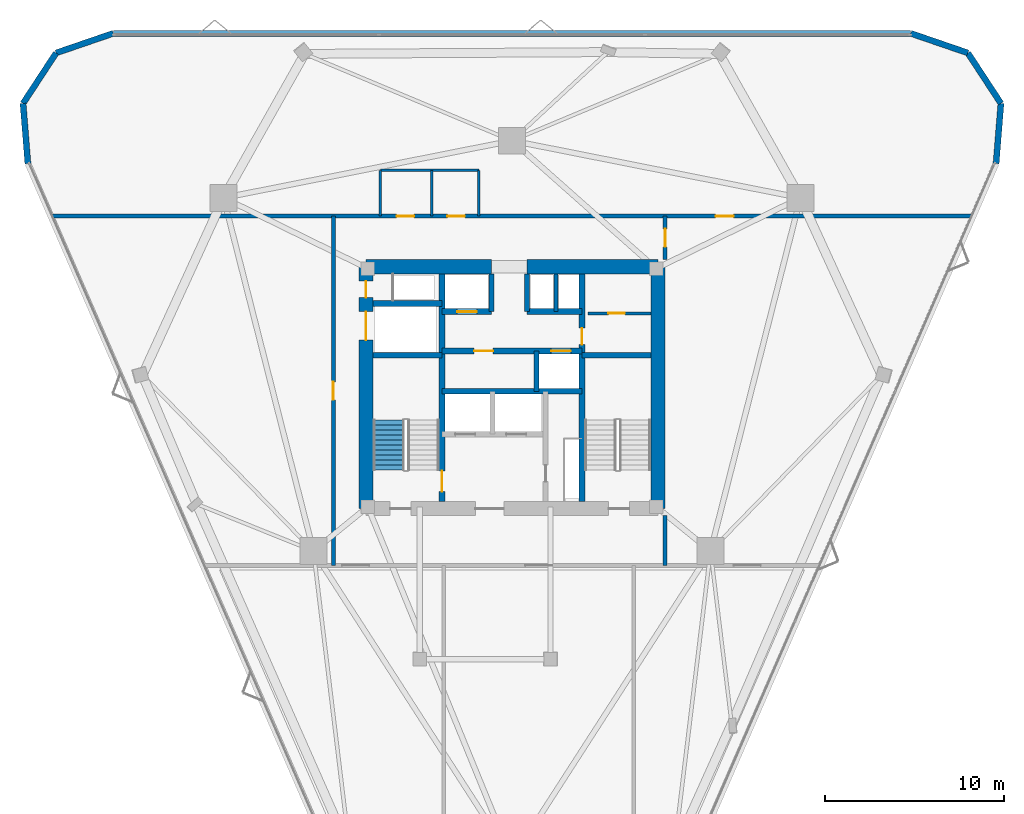
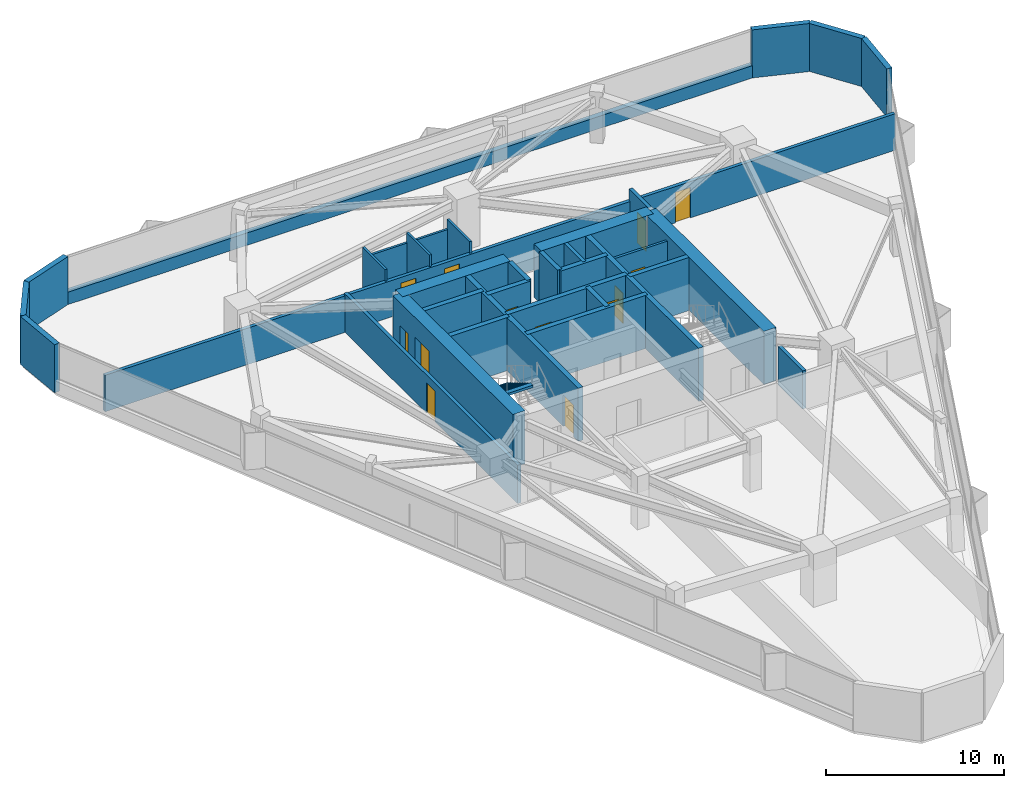
# One storey, part 10 of 13: 33 walls, 13 doors, 1 stair flight, 13 openings, 1 element without a shape of its own.
"""IFC4 building model written with IfcOpenShell, lengths in metres."""

from ifc_helpers import new_model, si_unit, direction, frame, frame_2d, origin, place, context, subcontext, project, spatial, polyline, rectangle, outline, extrude, material, layer, layer_set, type_object, element, fill, aggregate, save


model = new_model("IFC4")

# Units and contexts
model_context = context("Model", 3, precision=1e-05, world=origin(), true_north=direction((0.0, 1.0)))
body_context = subcontext(model_context, "Body", "Model", "MODEL_VIEW")
ifc_project = project(units=[si_unit("LENGTHUNIT", "METRE"), si_unit("AREAUNIT", "SQUARE_METRE"), si_unit("VOLUMEUNIT", "CUBIC_METRE"), si_unit("PLANEANGLEUNIT", "RADIAN"), si_unit("MASSUNIT", "GRAM", prefix="KILO")], contexts=[model_context])

# Site, building, storey
site_placement = place(None, origin())
site = spatial("IfcSite", under=ifc_project, at=site_placement, CompositionType="ELEMENT")
building_placement = place(site_placement, origin())
building = spatial("IfcBuilding", under=site, at=building_placement, Name="Talyreon Biosciences Tower", CompositionType="ELEMENT")
storey_placement = place(building_placement, frame((0.0, 0.0, 167.35009765625)))
storey = spatial("IfcBuildingStorey", under=building, at=storey_placement, Name="L44", CompositionType="ELEMENT", Elevation=167.35009765625)

# Walls
ifc_material_1 = material(Name="Concrete C50/60", Category="concrete")
ifc_layer_1 = layer(ifc_material_1, 0.219970703125)
ifc_layer_set_1 = layer_set([ifc_layer_1], Name="Concrete C50/60")
wall_type_1 = type_object("IfcWallType", Name="CoreShearWall_220", PredefinedType="SHEAR", material=ifc_layer_set_1)
wall_1_placement = place(storey_placement, frame((68.4599609375, 72.25, 0.0), z_axis=(0.0, 0.0, 1.0), x_axis=(0.0, 1.0, 0.0)))
element("IfcWall", 1, at=wall_1_placement, inside=storey, type_object=wall_type_1, Name="L44 Core Shaft Wall SWPHD", PredefinedType="SHEAR", context=body_context, shape_type="SweptSolid", body=[
    extrude(rectangle(XDim=2.10009765625, YDim=0.219970703125, at=frame_2d((1.050048828125, 0.0))), origin(), (0.0, 0.0, 1.0), 3.64990234375),
])
ifc_layer_2 = layer(ifc_material_1, 0.280029296875)
ifc_layer_set_2 = layer_set([ifc_layer_2], Name="Concrete C50/60")
wall_type_2 = type_object("IfcWallType", Name="CoreShearWall_280", PredefinedType="SHEAR", material=ifc_layer_set_2)
for number, where, z_axis, x_axis, name in (
    (2, (64.85009765625, 72.25, 0.0), (0.0, 0.0, 1.0), (0.0, 1.0, 0.0), "L44 Core Shaft Wall SWTHW"),
    (3, (66.85009765625, 72.25, 0.0), (0.0, 0.0, 1.0), (0.0, 1.0, 0.0), "L44 Core Shaft Wall SWTHE"),
):
    element("IfcWall", number, at=place(storey_placement, frame(where, z_axis=z_axis, x_axis=x_axis)), inside=storey, type_object=wall_type_2, Name=name, PredefinedType="SHEAR", context=body_context, shape_type="SweptSolid", body=[
        extrude(rectangle(XDim=2.10009765625, YDim=0.280029296875, at=frame_2d((1.050048828125, 0.0))), origin(), (0.0, 0.0, 1.0), 3.64990234375),
    ])
wall_2_placement = place(storey_placement, frame((67.3798828125, 67.800048828125, 0.0), z_axis=(0.0, 0.0, 1.0), x_axis=(0.0, 1.0, 0.0)))
element("IfcWall", 4, at=wall_2_placement, inside=storey, type_object=wall_type_2, Name="L44 Core Shaft Wall SWPMD", PredefinedType="SHEAR", context=body_context, shape_type="SweptSolid", body=[
    extrude(rectangle(XDim=2.25, YDim=0.280029296875, at=frame_2d((1.125, 0.0))), origin(), (0.0, 0.0, 1.0), 3.64990234375),
])

# Wall, opening, door
ifc_layer_3 = layer(ifc_material_1, 0.320068359375)
ifc_layer_set_3 = layer_set([ifc_layer_3], Name="Concrete C50/60")
wall_type_3 = type_object("IfcWallType", Name="CoreShearWall_320", PredefinedType="SHEAR", material=ifc_layer_set_3)
wall_3_placement = place(storey_placement, frame((62.090087890625, 61.64990234375, 0.0), z_axis=(0.0, 0.0, 1.0), x_axis=(0.0, 1.0, 0.0)))
wall_3 = element("IfcWall", 5, at=wall_3_placement, inside=storey, type_object=wall_type_3, Name="L44 Core Shaft Wall SW1E", PredefinedType="SHEAR", context=body_context, shape_type="SweptSolid", body=[
    extrude(rectangle(XDim=12.7001953125, YDim=0.320068359375, at=frame_2d((6.35009765625, 0.0))), origin(), (0.0, 0.0, 1.0), 3.64990234375),
])
opening_1_placement = place(wall_3_placement, frame((0.550048828125, 0.0, 0.0)))
opening_1 = element("IfcOpeningElement", 6, at=opening_1_placement, cuts=wall_3, Name="Opening DR-L44-FF-ST1", PredefinedType="OPENING", context=body_context, shape_type="SweptSolid", body=[
    extrude(rectangle(XDim=1.14990234375, YDim=2.14990234375, at=frame_2d((0.574951171875, 1.074951171875))), frame((0.0, 0.169921875, 0.0), z_axis=(0.0, -1.0, 0.0), x_axis=(1.0, 0.0, 0.0)), (0.0, 0.0, 1.0), 0.340087890625),
])
ifc_material_2 = material(Name="Painted steel fire door", Category="steel")
door_type_1 = type_object("IfcDoorType", Name="StairShaftFireDoor_1150x2150", OperationType="NOTDEFINED", PredefinedType="DOOR", material=ifc_material_2)
door_1_placement = place(opening_1_placement, origin())
door_1 = element("IfcDoor", 7, at=door_1_placement, inside=storey, type_object=door_type_1, Name="L44 Core Door DR-L44-FF-ST1", OperationType="SINGLE_SWING_LEFT", OverallHeight=2.14990234375, OverallWidth=1.14990234375, PredefinedType="DOOR", context=body_context, shape_type="SweptSolid", body=[
    extrude(rectangle(XDim=1.14990234375, YDim=2.14990234375, at=frame_2d((0.574951171875, 1.074951171875))), frame((0.0, 0.02490234375, 0.0), z_axis=(0.0, -1.0, 0.0), x_axis=(1.0, 0.0, 0.0)), (0.0, 0.0, 1.0), 0.050048828125),
])
fill(opening_1, door_1)

wall_4_placement = place(storey_placement, frame((69.909912109375, 61.64990234375, 0.0), z_axis=(0.0, 0.0, 1.0), x_axis=(0.0, 1.0, 0.0)))
wall_4 = element("IfcWall", 8, at=wall_4_placement, inside=storey, type_object=wall_type_3, Name="L44 Core Shaft Wall SW2W", PredefinedType="SHEAR", context=body_context, shape_type="SweptSolid", body=[
    extrude(rectangle(XDim=12.7001953125, YDim=0.320068359375, at=frame_2d((6.35009765625, 0.0))), origin(), (0.0, 0.0, 1.0), 3.64990234375),
])
opening_2_placement = place(wall_4_placement, frame((8.75, 0.0, 0.0)))
opening_2 = element("IfcOpeningElement", 9, at=opening_2_placement, cuts=wall_4, Name="Opening DR-L44-CSRV", PredefinedType="OPENING", context=body_context, shape_type="SweptSolid", body=[
    extrude(rectangle(XDim=0.919921875, YDim=2.050048828125, at=frame_2d((0.4599609375, 1.02490234375))), frame((0.0, 0.169921875, 0.0), z_axis=(0.0, -1.0, 0.0), x_axis=(1.0, 0.0, 0.0)), (0.0, 0.0, 1.0), 0.340087890625),
])
ifc_material_3 = material(Name="Painted steel fire-rated riser door", Category="steel")
door_type_2 = type_object("IfcDoorType", Name="RiserPlantAccessDoor_920x2050", OperationType="NOTDEFINED", PredefinedType="DOOR", material=ifc_material_3)
door_2_placement = place(opening_2_placement, origin())
door_2 = element("IfcDoor", 10, at=door_2_placement, inside=storey, type_object=door_type_2, Name="L44 Core Door DR-L44-CSRV", OperationType="SINGLE_SWING_RIGHT", OverallHeight=2.050048828125, OverallWidth=0.919921875, PredefinedType="DOOR", context=body_context, shape_type="SweptSolid", body=[
    extrude(rectangle(XDim=0.919921875, YDim=2.050048828125, at=frame_2d((0.4599609375, 1.02490234375))), frame((0.0, 0.02490234375, 0.0), z_axis=(0.0, -1.0, 0.0), x_axis=(1.0, 0.0, 0.0)), (0.0, 0.0, 1.0), 0.050048828125),
])
fill(opening_2, door_2)

# Walls
for number, where, z_axis, x_axis, name in (
    (11, (58.25, 69.81005859375, 0.0), (0.0, 0.0, 1.0), (1.0, 0.0, 0.0), "L44 Core Shaft Wall SW1N"),
    (12, (69.909912109375, 69.81005859375, 0.0), (0.0, 0.0, 1.0), (1.0, 0.0, 0.0), "L44 Core Shaft Wall SW2N"),
    (13, (58.25, 72.699951171875, 0.0), (0.0, 0.0, 1.0), (1.0, 0.0, 0.0), "L44 Core Shaft Wall SWGLN"),
):
    element("IfcWall", number, at=place(storey_placement, frame(where, z_axis=z_axis, x_axis=x_axis)), inside=storey, type_object=wall_type_3, Name=name, PredefinedType="SHEAR", context=body_context, shape_type="SweptSolid", body=[
        extrude(rectangle(XDim=3.840087890625, YDim=0.320068359375, at=frame_2d((1.919921875, 0.0))), origin(), (0.0, 0.0, 1.0), 3.64990234375),
    ])
wall_5_placement = place(storey_placement, frame((62.090087890625, 67.800048828125, 0.0), z_axis=(0.0, 0.0, 1.0), x_axis=(1.0, 0.0, 0.0)))
element("IfcWall", 14, at=wall_5_placement, inside=storey, type_object=wall_type_3, Name="L44 Core Shaft Wall SWSHM", PredefinedType="SHEAR", context=body_context, shape_type="SweptSolid", body=[
    extrude(rectangle(XDim=7.81982421875, YDim=0.320068359375, at=frame_2d((3.909912109375, 0.0))), origin(), (0.0, 0.0, 1.0), 3.64990234375),
])

# Wall, openings, doors
wall_6_placement = place(storey_placement, frame((62.090087890625, 70.050048828125, 0.0), z_axis=(0.0, 0.0, 1.0), x_axis=(1.0, 0.0, 0.0)))
wall_6 = element("IfcWall", 15, at=wall_6_placement, inside=storey, type_object=wall_type_3, Name="L44 Core Shaft Wall SWSPN", PredefinedType="SHEAR", context=body_context, shape_type="SweptSolid", body=[
    extrude(rectangle(XDim=7.81982421875, YDim=0.320068359375, at=frame_2d((3.909912109375, 0.0))), origin(), (0.0, 0.0, 1.0), 3.64990234375),
])
opening_3_placement = place(wall_6_placement, frame((1.800048828125, 0.0, 0.0)))
opening_3 = element("IfcOpeningElement", 16, at=opening_3_placement, cuts=wall_6, Name="Opening DR-L44-PLFREE-A", PredefinedType="OPENING", context=body_context, shape_type="SweptSolid", body=[
    extrude(rectangle(XDim=1.050048828125, YDim=2.14990234375, at=frame_2d((0.52490234375, 1.074951171875))), frame((0.0, 0.169921875, 0.0), z_axis=(0.0, -1.0, 0.0), x_axis=(1.0, 0.0, 0.0)), (0.0, 0.0, 1.0), 0.340087890625),
])
opening_4_placement = place(wall_6_placement, frame((6.10009765625, 0.0, 0.0)))
opening_4 = element("IfcOpeningElement", 17, at=opening_4_placement, cuts=wall_6, Name="Opening LD-L44-PM1", PredefinedType="OPENING", context=body_context, shape_type="SweptSolid", body=[
    extrude(rectangle(XDim=1.10009765625, YDim=2.199951171875, at=frame_2d((0.550048828125, 1.10009765625))), frame((0.0, 0.169921875, 0.0), z_axis=(0.0, -1.0, 0.0), x_axis=(1.0, 0.0, 0.0)), (0.0, 0.0, 1.0), 0.340087890625),
])
ifc_material_4 = material(Name="Acoustic timber-core laboratory door", Category="wood")
door_type_3 = type_object("IfcDoorType", Name="DryLabSingleDoor_1050x2150", OperationType="NOTDEFINED", PredefinedType="DOOR", material=ifc_material_4)
door_3_placement = place(opening_3_placement, origin())
door_3 = element("IfcDoor", 18, at=door_3_placement, inside=storey, type_object=door_type_3, Name="L44 Core Door DR-L44-PLFREE-A", OperationType="SINGLE_SWING_LEFT", OverallHeight=2.14990234375, OverallWidth=1.050048828125, PredefinedType="DOOR", context=body_context, shape_type="SweptSolid", body=[
    extrude(rectangle(XDim=1.050048828125, YDim=2.14990234375, at=frame_2d((0.52490234375, 1.074951171875))), frame((0.0, 0.02490234375, 0.0), z_axis=(0.0, -1.0, 0.0), x_axis=(1.0, 0.0, 0.0)), (0.0, 0.0, 1.0), 0.050048828125),
])
fill(opening_3, door_3)
ifc_material_5 = material(Name="Brushed stainless-steel lift landing door", Category="steel")
door_type_4 = type_object("IfcDoorType", Name="LiftSlidingLandingDoor_1100x2200", OperationType="SLIDING_TO_LEFT", PredefinedType="DOOR", material=ifc_material_5)
door_4_placement = place(opening_4_placement, origin())
door_4 = element("IfcDoor", 19, at=door_4_placement, inside=storey, type_object=door_type_4, Name="L44 Core Door LD-L44-PM1", OperationType="SLIDING_TO_LEFT", OverallHeight=2.199951171875, OverallWidth=1.10009765625, PredefinedType="DOOR", context=body_context, shape_type="SweptSolid", body=[
    extrude(rectangle(XDim=1.10009765625, YDim=2.199951171875, at=frame_2d((0.550048828125, 1.10009765625))), frame((0.0, 0.02490234375, 0.0), z_axis=(0.0, -1.0, 0.0), x_axis=(1.0, 0.0, 0.0)), (0.0, 0.0, 1.0), 0.050048828125),
])
fill(opening_4, door_4)

# Wall, opening, door
wall_7_placement = place(storey_placement, frame((62.090087890625, 72.25, 0.0), z_axis=(0.0, 0.0, 1.0), x_axis=(1.0, 0.0, 0.0)))
wall_7 = element("IfcWall", 20, at=wall_7_placement, inside=storey, type_object=wall_type_3, Name="L44 Core Shaft Wall SWNPW", PredefinedType="SHEAR", context=body_context, shape_type="SweptSolid", body=[
    extrude(rectangle(XDim=2.760009765625, YDim=0.320068359375, at=frame_2d((1.3798828125, 0.0))), origin(), (0.0, 0.0, 1.0), 3.64990234375),
])
opening_5_placement = place(wall_7_placement, frame((0.85009765625, 0.0, 0.0)))
opening_5 = element("IfcOpeningElement", 21, at=opening_5_placement, cuts=wall_7, Name="Opening LD-L44-PM2", PredefinedType="OPENING", context=body_context, shape_type="SweptSolid", body=[
    extrude(rectangle(XDim=1.10009765625, YDim=2.199951171875, at=frame_2d((0.550048828125, 1.10009765625))), frame((0.0, 0.169921875, 0.0), z_axis=(0.0, -1.0, 0.0), x_axis=(1.0, 0.0, 0.0)), (0.0, 0.0, 1.0), 0.340087890625),
])
door_5_placement = place(opening_5_placement, origin())
door_5 = element("IfcDoor", 22, at=door_5_placement, inside=storey, type_object=door_type_4, Name="L44 Core Door LD-L44-PM2", OperationType="SLIDING_TO_LEFT", OverallHeight=2.199951171875, OverallWidth=1.10009765625, PredefinedType="DOOR", context=body_context, shape_type="SweptSolid", body=[
    extrude(rectangle(XDim=1.10009765625, YDim=2.199951171875, at=frame_2d((0.550048828125, 1.10009765625))), frame((0.0, 0.02490234375, 0.0), z_axis=(0.0, -1.0, 0.0), x_axis=(1.0, 0.0, 0.0)), (0.0, 0.0, 1.0), 0.050048828125),
])
fill(opening_5, door_5)

# Walls
wall_8_placement = place(storey_placement, frame((66.85009765625, 72.25, 0.0), z_axis=(0.0, 0.0, 1.0), x_axis=(1.0, 0.0, 0.0)))
element("IfcWall", 23, at=wall_8_placement, inside=storey, type_object=wall_type_3, Name="L44 Core Shaft Wall SWNPE", PredefinedType="SHEAR", context=body_context, shape_type="SweptSolid", body=[
    extrude(rectangle(XDim=3.059814453125, YDim=0.320068359375, at=frame_2d((1.52978515625, 0.0))), origin(), (0.0, 0.0, 1.0), 3.64990234375),
])
ifc_material_6 = material(Name="Concrete C60/75", Category="concrete")
ifc_layer_4 = layer(ifc_material_6, 0.800048828125)
ifc_layer_set_4 = layer_set([ifc_layer_4], Name="Concrete C60/75")
wall_type_4 = type_object("IfcWallType", Name="CoreShearWall_800", PredefinedType="SHEAR", material=ifc_layer_set_4)
wall_9_placement = place(storey_placement, frame((74.14990234375, 61.25, 0.0), z_axis=(0.0, 0.0, 1.0), x_axis=(0.0, 1.0, 0.0)))
element("IfcWall", 24, at=wall_9_placement, inside=storey, type_object=wall_type_4, Name="L44 Core Shear Wall E", PredefinedType="SHEAR", context=body_context, shape_type="SweptSolid", body=[
    extrude(rectangle(XDim=13.5, YDim=0.800048828125, at=frame_2d((6.75, 0.0))), origin(), (0.0, 0.0, 1.0), 3.64990234375),
])
wall_10_placement = place(storey_placement, frame((74.14990234375, 74.75, 0.0), z_axis=(0.0, 0.0, 1.0), x_axis=(-1.0, 0.0, 0.0)))
element("IfcWall", 25, at=wall_10_placement, inside=storey, type_object=wall_type_4, Name="L44 Core Shear Wall NE", PredefinedType="SHEAR", context=body_context, shape_type="SweptSolid", body=[
    extrude(rectangle(XDim=7.2998046875, YDim=0.800048828125, at=frame_2d((3.64990234375, 0.0))), origin(), (0.0, 0.0, 1.0), 3.64990234375),
])
wall_11_placement = place(storey_placement, frame((64.85009765625, 74.75, 0.0), z_axis=(0.0, 0.0, 1.0), x_axis=(-1.0, 0.0, 0.0)))
element("IfcWall", 26, at=wall_11_placement, inside=storey, type_object=wall_type_4, Name="L44 Core Shear Wall NW", PredefinedType="SHEAR", context=body_context, shape_type="SweptSolid", body=[
    extrude(rectangle(XDim=7.0, YDim=0.800048828125, at=frame_2d((3.5, 0.0))), origin(), (0.0, 0.0, 1.0), 3.64990234375),
])

# Wall, openings, doors
wall_12_placement = place(storey_placement, frame((57.85009765625, 74.75, 0.0), z_axis=(0.0, 0.0, 1.0), x_axis=(0.0, -1.0, 0.0)))
wall_12 = element("IfcWall", 27, at=wall_12_placement, inside=storey, type_object=wall_type_4, Name="L44 Core Shear Wall W", PredefinedType="SHEAR", context=body_context, shape_type="SweptSolid", body=[
    extrude(rectangle(XDim=13.5, YDim=0.800048828125, at=frame_2d((6.75, 0.0))), origin(), (0.0, 0.0, 1.0), 3.64990234375),
])
opening_6_placement = place(wall_12_placement, frame((0.800048828125, 0.0, 0.0)))
opening_6 = element("IfcOpeningElement", 28, at=opening_6_placement, cuts=wall_12, Name="Opening DR-L44-RSW", PredefinedType="OPENING", context=body_context, shape_type="SweptSolid", body=[
    extrude(rectangle(XDim=0.919921875, YDim=2.050048828125, at=frame_2d((0.4599609375, 1.02490234375))), frame((0.0, 0.409912109375, 0.0), z_axis=(0.0, -1.0, 0.0), x_axis=(1.0, 0.0, 0.0)), (0.0, 0.0, 1.0), 0.820068359375),
])
opening_7_placement = place(wall_12_placement, frame((2.5, 0.0, 0.0)))
opening_7 = element("IfcOpeningElement", 29, at=opening_7_placement, cuts=wall_12, Name="Opening LD-L44-GL1", PredefinedType="OPENING", context=body_context, shape_type="SweptSolid", body=[
    extrude(rectangle(XDim=1.60009765625, YDim=2.300048828125, at=frame_2d((0.800048828125, 1.14990234375))), frame((0.0, 0.409912109375, 0.0), z_axis=(0.0, -1.0, 0.0), x_axis=(1.0, 0.0, 0.0)), (0.0, 0.0, 1.0), 0.820068359375),
])
ifc_material_7 = material(Name="Heavy-duty stainless-steel goods lift door", Category="steel")
door_type_5 = type_object("IfcDoorType", Name="GoodsLiftSlidingDoor_1600x2300", OperationType="DOUBLE_DOOR_SLIDING", PredefinedType="DOOR", material=ifc_material_7)
door_6_placement = place(opening_7_placement, origin())
door_6 = element("IfcDoor", 30, at=door_6_placement, inside=storey, type_object=door_type_5, Name="L44 Core Door LD-L44-GL1", OperationType="DOUBLE_DOOR_SLIDING", OverallHeight=2.300048828125, OverallWidth=1.60009765625, PredefinedType="DOOR", context=body_context, shape_type="SweptSolid", body=[
    extrude(rectangle(XDim=1.60009765625, YDim=2.300048828125, at=frame_2d((0.800048828125, 1.14990234375))), frame((0.0, 0.02490234375, 0.0), z_axis=(0.0, -1.0, 0.0), x_axis=(1.0, 0.0, 0.0)), (0.0, 0.0, 1.0), 0.050048828125),
])
fill(opening_7, door_6)
door_7_placement = place(opening_6_placement, origin())
door_7 = element("IfcDoor", 31, at=door_7_placement, inside=storey, type_object=door_type_2, Name="L44 Core Door DR-L44-RSW", OperationType="SINGLE_SWING_LEFT", OverallHeight=2.050048828125, OverallWidth=0.919921875, PredefinedType="DOOR", context=body_context, shape_type="SweptSolid", body=[
    extrude(rectangle(XDim=0.919921875, YDim=2.050048828125, at=frame_2d((0.4599609375, 1.02490234375))), frame((0.0, 0.02490234375, 0.0), z_axis=(0.0, -1.0, 0.0), x_axis=(1.0, 0.0, 0.0)), (0.0, 0.0, 1.0), 0.050048828125),
])
fill(opening_6, door_7)

ifc_material_8 = material(Name="Gypsum fireboard acoustic stud", Category="gypsum")
ifc_layer_5 = layer(ifc_material_8, 0.219970703125)
ifc_layer_set_5 = layer_set([ifc_layer_5], Name="Gypsum fireboard acoustic stud")
wall_type_5 = type_object("IfcWallType", Name="CorridorRatedPartition_220", PredefinedType="PARTITIONING", material=ifc_layer_set_5)
wall_13_placement = place(storey_placement, frame((40.339599609375, 77.580078125, 0.0), z_axis=(0.0, 0.0, 1.0), x_axis=(1.0, 0.0, 0.0)))
wall_13 = element("IfcWall", 32, at=wall_13_placement, inside=storey, type_object=wall_type_5, Name="L44 Interior Wall IW-L44-COR-N", PredefinedType="PARTITIONING", context=body_context, shape_type="SweptSolid", body=[
    extrude(rectangle(XDim=51.32080078125, YDim=0.219970703125, at=frame_2d((25.660400390625, 0.0))), origin(), (0.0, 0.0, 1.0), 2.5),
])
opening_8_placement = place(wall_13_placement, frame((19.220947265625, 0.0, 0.0)))
opening_8 = element("IfcOpeningElement", 33, at=opening_8_placement, cuts=wall_13, Name="Opening DR-L44-WC", PredefinedType="OPENING", context=body_context, shape_type="SweptSolid", body=[
    extrude(rectangle(XDim=0.97998046875, YDim=2.10009765625, at=frame_2d((0.489990234375, 1.050048828125))), frame((0.0, 0.119873046875, 0.0), z_axis=(0.0, -1.0, 0.0), x_axis=(1.0, 0.0, 0.0)), (0.0, 0.0, 1.0), 0.239990234375),
])
opening_9_placement = place(wall_13_placement, frame((22.0458984375, 0.0, 0.0)))
opening_9 = element("IfcOpeningElement", 34, at=opening_9_placement, cuts=wall_13, Name="Opening DR-L44-AWC", PredefinedType="OPENING", context=body_context, shape_type="SweptSolid", body=[
    extrude(rectangle(XDim=0.97998046875, YDim=2.10009765625, at=frame_2d((0.489990234375, 1.050048828125))), frame((0.0, 0.119873046875, 0.0), z_axis=(0.0, -1.0, 0.0), x_axis=(1.0, 0.0, 0.0)), (0.0, 0.0, 1.0), 0.239990234375),
])
opening_10_placement = place(wall_13_placement, frame((37.031005859375, 0.0, 0.0)))
opening_10 = element("IfcOpeningElement", 35, at=opening_10_placement, cuts=wall_13, Name="Opening DR-L44-N1A", PredefinedType="OPENING", context=body_context, shape_type="SweptSolid", body=[
    extrude(rectangle(XDim=1.0, YDim=2.10009765625, at=frame_2d((0.5, 1.050048828125))), frame((0.0, 0.119873046875, 0.0), z_axis=(0.0, -1.0, 0.0), x_axis=(1.0, 0.0, 0.0)), (0.0, 0.0, 1.0), 0.239990234375),
])
ifc_material_9 = material(Name="Laminate moisture-resistant door", Category="wood")
door_type_6 = type_object("IfcDoorType", Name="AccessibleToiletDoor_980x2100", OperationType="NOTDEFINED", PredefinedType="DOOR", material=ifc_material_9)
door_8_placement = place(opening_8_placement, origin())
door_8 = element("IfcDoor", 36, at=door_8_placement, inside=storey, type_object=door_type_6, Name="L44 Interior Door DR-L44-WC", OperationType="SINGLE_SWING_LEFT", OverallHeight=2.10009765625, OverallWidth=0.97998046875, PredefinedType="DOOR", context=body_context, shape_type="SweptSolid", body=[
    extrude(rectangle(XDim=0.97998046875, YDim=2.10009765625, at=frame_2d((0.489990234375, 1.050048828125))), frame((0.0, 0.02490234375, 0.0), z_axis=(0.0, -1.0, 0.0), x_axis=(1.0, 0.0, 0.0)), (0.0, 0.0, 1.0), 0.050048828125),
])
fill(opening_8, door_8)
door_9_placement = place(opening_9_placement, origin())
door_9 = element("IfcDoor", 37, at=door_9_placement, inside=storey, type_object=door_type_6, Name="L44 Interior Door DR-L44-AWC", OperationType="SINGLE_SWING_LEFT", OverallHeight=2.10009765625, OverallWidth=0.97998046875, PredefinedType="DOOR", context=body_context, shape_type="SweptSolid", body=[
    extrude(rectangle(XDim=0.97998046875, YDim=2.10009765625, at=frame_2d((0.489990234375, 1.050048828125))), frame((0.0, 0.02490234375, 0.0), z_axis=(0.0, -1.0, 0.0), x_axis=(1.0, 0.0, 0.0)), (0.0, 0.0, 1.0), 0.050048828125),
])
fill(opening_9, door_9)
ifc_material_10 = material(Name="Acoustic oak veneer office door", Category="wood")
door_type_7 = type_object("IfcDoorType", Name="WriteupOfficeDoor_1000x2100", OperationType="NOTDEFINED", PredefinedType="DOOR", material=ifc_material_10)
door_10_placement = place(opening_10_placement, origin())
door_10 = element("IfcDoor", 38, at=door_10_placement, inside=storey, type_object=door_type_7, Name="L44 Interior Door DR-L44-N1A", OperationType="SINGLE_SWING_RIGHT", OverallHeight=2.10009765625, OverallWidth=1.0, PredefinedType="DOOR", context=body_context, shape_type="SweptSolid", body=[
    extrude(rectangle(XDim=1.0, YDim=2.10009765625, at=frame_2d((0.5, 1.050048828125))), frame((0.0, 0.02490234375, 0.0), z_axis=(0.0, -1.0, 0.0), x_axis=(1.0, 0.0, 0.0)), (0.0, 0.0, 1.0), 0.050048828125),
])
fill(opening_10, door_10)

# Wall, opening, door
wall_14_placement = place(storey_placement, frame((56.030029296875, 58.070068359375, 0.0), z_axis=(0.0, 0.0, 1.0), x_axis=(0.0, 1.0, 0.0)))
wall_14 = element("IfcWall", 39, at=wall_14_placement, inside=storey, type_object=wall_type_5, Name="L44 Interior Wall IW-L44-COR-W", PredefinedType="PARTITIONING", context=body_context, shape_type="SweptSolid", body=[
    extrude(rectangle(XDim=19.510009765625, YDim=0.219970703125, at=frame_2d((9.7548828125, 0.0))), origin(), (0.0, 0.0, 1.0), 2.6298828125),
])
opening_11_placement = place(wall_14_placement, frame((9.2548828125, 0.0, 0.0)))
opening_11 = element("IfcOpeningElement", 40, at=opening_11_placement, cuts=wall_14, Name="Opening DR-L44-W1A", PredefinedType="OPENING", context=body_context, shape_type="SweptSolid", body=[
    extrude(rectangle(XDim=1.0, YDim=2.10009765625, at=frame_2d((0.5, 1.050048828125))), frame((0.0, 0.119873046875, 0.0), z_axis=(0.0, -1.0, 0.0), x_axis=(1.0, 0.0, 0.0)), (0.0, 0.0, 1.0), 0.239990234375),
])
door_11_placement = place(opening_11_placement, origin())
door_11 = element("IfcDoor", 41, at=door_11_placement, inside=storey, type_object=door_type_7, Name="L44 Interior Door DR-L44-W1A", OperationType="SINGLE_SWING_RIGHT", OverallHeight=2.10009765625, OverallWidth=1.0, PredefinedType="DOOR", context=body_context, shape_type="SweptSolid", body=[
    extrude(rectangle(XDim=1.0, YDim=2.10009765625, at=frame_2d((0.5, 1.050048828125))), frame((0.0, 0.02490234375, 0.0), z_axis=(0.0, -1.0, 0.0), x_axis=(1.0, 0.0, 0.0)), (0.0, 0.0, 1.0), 0.050048828125),
])
fill(opening_11, door_11)

wall_15_placement = place(storey_placement, frame((74.550048828125, 75.14990234375, 0.0), z_axis=(0.0, 0.0, 1.0), x_axis=(0.0, 1.0, 0.0)))
wall_15 = element("IfcWall", 42, at=wall_15_placement, inside=storey, type_object=wall_type_5, Name="L44 Interior Wall IW-L44-ECAP-N", PredefinedType="PARTITIONING", context=body_context, shape_type="SweptSolid", body=[
    extrude(rectangle(XDim=2.43017578125, YDim=0.219970703125, at=frame_2d((1.215087890625, 0.0))), origin(), (0.0, 0.0, 1.0), 3.2998046875),
])
opening_12_placement = place(wall_15_placement, frame((0.715087890625, 0.0, 0.0)))
opening_12 = element("IfcOpeningElement", 43, at=opening_12_placement, cuts=wall_15, Name="Opening DR-L44-E1A", PredefinedType="OPENING", context=body_context, shape_type="SweptSolid", body=[
    extrude(rectangle(XDim=1.0, YDim=2.10009765625, at=frame_2d((0.5, 1.050048828125))), frame((0.0, 0.119873046875, 0.0), z_axis=(0.0, -1.0, 0.0), x_axis=(1.0, 0.0, 0.0)), (0.0, 0.0, 1.0), 0.239990234375),
])
door_12_placement = place(opening_12_placement, origin())
door_12 = element("IfcDoor", 44, at=door_12_placement, inside=storey, type_object=door_type_7, Name="L44 Interior Door DR-L44-E1A", OperationType="SINGLE_SWING_RIGHT", OverallHeight=2.10009765625, OverallWidth=1.0, PredefinedType="DOOR", context=body_context, shape_type="SweptSolid", body=[
    extrude(rectangle(XDim=1.0, YDim=2.10009765625, at=frame_2d((0.5, 1.050048828125))), frame((0.0, 0.02490234375, 0.0), z_axis=(0.0, -1.0, 0.0), x_axis=(1.0, 0.0, 0.0)), (0.0, 0.0, 1.0), 0.050048828125),
])
fill(opening_12, door_12)

# Wall
wall_16_placement = place(storey_placement, frame((74.550048828125, 58.070068359375, 0.0), z_axis=(0.0, 0.0, 1.0), x_axis=(0.0, 1.0, 0.0)))
element("IfcWall", 45, at=wall_16_placement, inside=storey, type_object=wall_type_5, Name="L44 Interior Wall IW-L44-ECAP-S", PredefinedType="PARTITIONING", context=body_context, shape_type="SweptSolid", body=[
    extrude(rectangle(XDim=2.780029296875, YDim=0.219970703125, at=frame_2d((1.39013671875, 0.0))), origin(), (0.0, 0.0, 1.0), 2.6298828125),
])

# Wall, opening, door
ifc_material_11 = material(Name="Gypsum acoustic stud partition", Category="gypsum")
ifc_layer_6 = layer(ifc_material_11, 0.159912109375)
ifc_layer_set_6 = layer_set([ifc_layer_6], Name="Gypsum acoustic stud partition")
wall_type_6 = type_object("IfcWallType", Name="LabSeparationPartition_160", PredefinedType="PARTITIONING", material=ifc_layer_set_6)
wall_17_placement = place(storey_placement, frame((70.22998046875, 72.14990234375, 0.0), z_axis=(0.0, 0.0, 1.0), x_axis=(1.0, 0.0, 0.0)))
wall_17 = element("IfcWall", 46, at=wall_17_placement, inside=storey, type_object=wall_type_6, Name="L44 Interior Wall IW-L44-CSRV-H", PredefinedType="PARTITIONING", context=body_context, shape_type="SweptSolid", body=[
    extrude(rectangle(XDim=3.52001953125, YDim=0.159912109375, at=frame_2d((1.760009765625, 0.0))), origin(), (0.0, 0.0, 1.0), 3.2998046875),
])
opening_13_placement = place(wall_17_placement, frame((1.14990234375, 0.0, 0.0)))
opening_13 = element("IfcOpeningElement", 47, at=opening_13_placement, cuts=wall_17, Name="Opening DR-L44-CSRV-I", PredefinedType="OPENING", context=body_context, shape_type="SweptSolid", body=[
    extrude(rectangle(XDim=0.919921875, YDim=2.050048828125, at=frame_2d((0.4599609375, 1.02490234375))), frame((0.0, 0.08984375, 0.0), z_axis=(0.0, -1.0, 0.0), x_axis=(1.0, 0.0, 0.0)), (0.0, 0.0, 1.0), 0.179931640625),
])
door_13_placement = place(opening_13_placement, origin())
door_13 = element("IfcDoor", 48, at=door_13_placement, inside=storey, type_object=door_type_2, Name="L44 Interior Door DR-L44-CSRV-I", OperationType="SINGLE_SWING_LEFT", OverallHeight=2.050048828125, OverallWidth=0.919921875, PredefinedType="DOOR", context=body_context, shape_type="SweptSolid", body=[
    extrude(rectangle(XDim=0.919921875, YDim=2.050048828125, at=frame_2d((0.4599609375, 1.02490234375))), frame((0.0, 0.02490234375, 0.0), z_axis=(0.0, -1.0, 0.0), x_axis=(1.0, 0.0, 0.0)), (0.0, 0.0, 1.0), 0.050048828125),
])
fill(opening_13, door_13)

# Walls
ifc_material_12 = material(Name="Precast concrete C45/55", Category="concrete")
ifc_layer_7 = layer(ifc_material_12, 0.340087890625)
ifc_layer_set_7 = layer_set([ifc_layer_7], Name="Precast concrete C45/55")
wall_type_7 = type_object("IfcWallType", Name="PrecastConcreteSpandrelWall_340", PredefinedType="STANDARD", material=ifc_layer_set_7)
for number, where, z_axis, x_axis, name in (
    (49, (38.970947265625, 80.509521484375, 0.0), (0.0, 0.0, 1.0), (-0.080427112157, 0.996760492611, 0.0), "L44 Rounded-Corner Concrete Pier 01"),
    (50, (38.69970703125, 83.87109375, 0.0), (0.0, 0.0, 1.0), (0.548083892996, 0.836423365431, 0.0), "L44 Rounded-Corner Concrete Pier 02"),
):
    element("IfcWall", number, at=place(storey_placement, frame(where, z_axis=z_axis, x_axis=x_axis)), inside=storey, type_object=wall_type_7, Name=name, PredefinedType="STANDARD", context=body_context, shape_type="SweptSolid", body=[
        extrude(rectangle(XDim=3.37255859375, YDim=0.340087890625, at=frame_2d((1.686279296875, 0.0))), origin(), (0.0, 0.0, 1.0), 3.2998046875),
    ])
wall_18_placement = place(storey_placement, frame((40.548095703125, 86.69189453125, 0.0), z_axis=(0.0, 0.0, 1.0), x_axis=(0.94595609767, 0.324294713618, 0.0)))
element("IfcWall", 51, at=wall_18_placement, inside=storey, type_object=wall_type_7, Name="L44 Rounded-Corner Concrete Pier 03", PredefinedType="STANDARD", context=body_context, shape_type="SweptSolid", body=[
    extrude(rectangle(XDim=3.372802734375, YDim=0.340087890625, at=frame_2d((1.6865234375, 0.0))), origin(), (0.0, 0.0, 1.0), 3.2998046875),
])
wall_19_placement = place(storey_placement, frame((43.738525390625, 87.78564453125, 0.0), z_axis=(0.0, 0.0, 1.0), x_axis=(1.0, 0.0, 0.0)))
element("IfcWall", 52, at=wall_19_placement, inside=storey, type_object=wall_type_7, Name="L44 Expressed Concrete Sill Wall 04", PredefinedType="STANDARD", context=body_context, shape_type="SweptSolid", body=[
    extrude(rectangle(XDim=44.52294921875, YDim=0.340087890625, at=frame_2d((22.261474609375, 0.0))), origin(), (0.0, 0.0, 1.0), 0.849853515625),
])
wall_20_placement = place(storey_placement, frame((88.261474609375, 87.78564453125, 0.0), z_axis=(0.0, 0.0, 1.0), x_axis=(0.94595609767, -0.324294713618, 0.0)))
element("IfcWall", 53, at=wall_20_placement, inside=storey, type_object=wall_type_7, Name="L44 Rounded-Corner Concrete Pier 05", PredefinedType="STANDARD", context=body_context, shape_type="SweptSolid", body=[
    extrude(rectangle(XDim=3.372802734375, YDim=0.340087890625, at=frame_2d((1.6865234375, 0.0))), origin(), (0.0, 0.0, 1.0), 3.2998046875),
])
for number, where, z_axis, x_axis, name in (
    (54, (91.451904296875, 86.69189453125, 0.0), (0.0, 0.0, 1.0), (0.548083892996, -0.836423365431, 0.0), "L44 Rounded-Corner Concrete Pier 06"),
    (55, (93.30029296875, 83.87109375, 0.0), (0.0, 0.0, 1.0), (-0.080427112157, -0.996760492611, 0.0), "L44 Rounded-Corner Concrete Pier 07"),
):
    element("IfcWall", number, at=place(storey_placement, frame(where, z_axis=z_axis, x_axis=x_axis)), inside=storey, type_object=wall_type_7, Name=name, PredefinedType="STANDARD", context=body_context, shape_type="SweptSolid", body=[
        extrude(rectangle(XDim=3.37255859375, YDim=0.340087890625, at=frame_2d((1.686279296875, 0.0))), origin(), (0.0, 0.0, 1.0), 3.2998046875),
    ])
ifc_material_13 = material(Name="Moisture-resistant cement-board stud", Category="gypsum")
ifc_layer_8 = layer(ifc_material_13, 0.14501953125)
ifc_layer_set_8 = layer_set([ifc_layer_8], Name="Moisture-resistant cement-board stud")
wall_type_8 = type_object("IfcWallType", Name="WetRoomPartition_145", PredefinedType="PARTITIONING", material=ifc_layer_set_8)
for number, where, z_axis, x_axis, name in (
    (56, (58.64990234375, 77.580078125, 0.0), (0.0, 0.0, 1.0), (0.0, 1.0, 0.0), "L44 Interior Wall IW-L44-WCL"),
    (57, (61.52490234375, 77.580078125, 0.0), (0.0, 0.0, 1.0), (0.0, 1.0, 0.0), "L44 Interior Wall IW-L44-WCM"),
    (58, (64.14990234375, 77.580078125, 0.0), (0.0, 0.0, 1.0), (0.0, 1.0, 0.0), "L44 Interior Wall IW-L44-WCR"),
):
    element("IfcWall", number, at=place(storey_placement, frame(where, z_axis=z_axis, x_axis=x_axis)), inside=storey, type_object=wall_type_8, Name=name, PredefinedType="PARTITIONING", context=body_context, shape_type="SweptSolid", body=[
        extrude(rectangle(XDim=2.5498046875, YDim=0.14501953125, at=frame_2d((1.27490234375, 0.0))), origin(), (0.0, 0.0, 1.0), 3.2998046875),
    ])
wall_21_placement = place(storey_placement, frame((58.64990234375, 80.1298828125, 0.0), z_axis=(0.0, 0.0, 1.0), x_axis=(1.0, 0.0, 0.0)))
element("IfcWall", 59, at=wall_21_placement, inside=storey, type_object=wall_type_8, Name="L44 Interior Wall IW-L44-WCT", PredefinedType="PARTITIONING", context=body_context, shape_type="SweptSolid", body=[
    extrude(rectangle(XDim=5.5, YDim=0.14501953125, at=frame_2d((2.75, 0.0))), origin(), (0.0, 0.0, 1.0), 2.6298828125),
])

# Stair, stair flight
ifc_material_14 = material(Name="Concrete C40/50", Category="concrete")
stair_type = type_object("IfcStairType", Name="DoglegEscapeStair_3650", PredefinedType="HALF_TURN_STAIR", material=ifc_material_14)
stair_placement = place(storey_placement, origin())
stair = element("IfcStair", 60, at=stair_placement, inside=storey, type_object=stair_type, Name="L44 Core Escape Stair 1", PredefinedType="HALF_TURN_STAIR")
stair_flight_type = type_object("IfcStairFlightType", Name="PrecastStairFlight_3650", PredefinedType="STRAIGHT", material=ifc_material_14)
stair_flight_placement = place(storey_placement, frame((59.1201171875, 66.199951171875, 1.824951171875), z_axis=(0.0, 0.0, 1.0), x_axis=(0.0, -1.0, 0.0)))
stair_flight = element("IfcStairFlight", 61, at=stair_flight_placement, type_object=stair_flight_type, Name="ST-1 flight 2", NumberOfRisers=11, NumberOfTreads=10, PredefinedType="STRAIGHT", RiserHeight=0.165909091, TreadLength=0.28, context=body_context, shape_type="SweptSolid", body=[
    extrude(outline(polyline([(0.0, 0.0), (0.0, 0.166015625), (0.280029296875, 0.166015625), (0.280029296875, 0.331787109375), (0.56005859375, 0.331787109375), (0.56005859375, 0.497802734375), (0.840087890625, 0.497802734375), (0.840087890625, 0.66357421875), (1.1201171875, 0.66357421875), (1.1201171875, 0.82958984375), (1.39990234375, 0.82958984375), (1.39990234375, 0.995361328125), (1.679931640625, 0.995361328125), (1.679931640625, 1.161376953125), (1.9599609375, 1.161376953125), (1.9599609375, 1.327392578125), (2.239990234375, 1.327392578125), (2.239990234375, 1.4931640625), (2.52001953125, 1.4931640625), (2.52001953125, 1.6591796875), (2.800048828125, 1.6591796875), (2.800048828125, 1.824951171875), (2.800048828125, 1.48486328125), (0.2939453125, 0.0), (0.0, 0.0)])), frame((0.0, 0.8701171875, 0.0), z_axis=(0.0, -1.0, 0.0), x_axis=(1.0, 0.0, 0.0)), (0.0, 0.0, 1.0), 1.739990234375),
])
aggregate(stair, [stair_flight])

save(model, "model.ifc")
